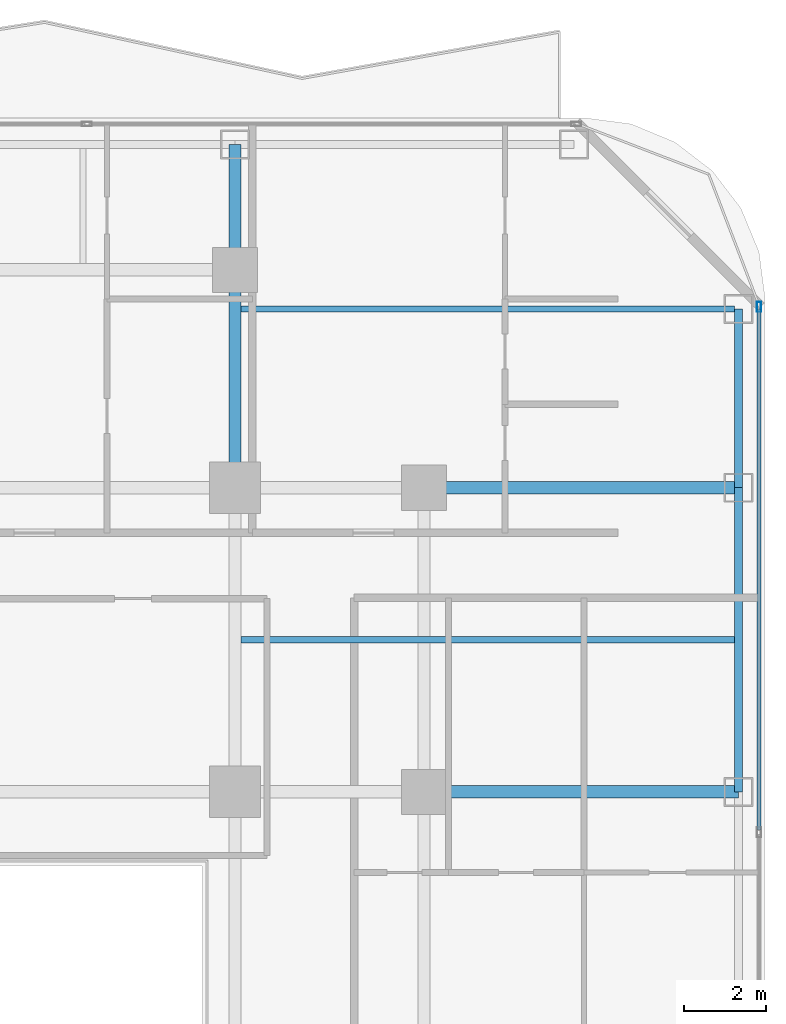
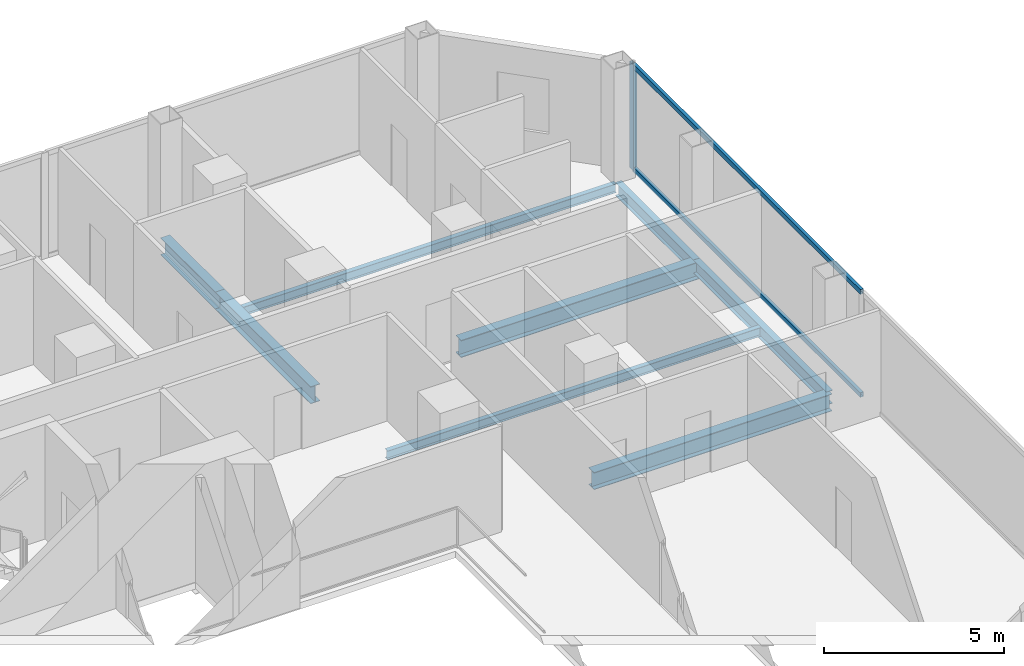
# One storey, part 17 of 27: 8 beams, 3 members, 1 element without a shape of its own.
"""IFC4 building model written with IfcOpenShell, lengths in metres."""

from ifc_helpers import new_model, si_unit, direction, frame, origin, origin_2d, place, context, subcontext, project, spatial, hollow_rectangle, i_section, extrude, material, layer, layer_set, material_profile, profile_set, type_object, element, aggregate, save


model = new_model("IFC4")

# Units and contexts
model_context = context("Model", 3, precision=1e-05, world=origin(), true_north=direction((0.0, 1.0)))
body_context = subcontext(model_context, "Body", "Model", "MODEL_VIEW")
ifc_project = project(units=[si_unit("LENGTHUNIT", "METRE"), si_unit("AREAUNIT", "SQUARE_METRE"), si_unit("VOLUMEUNIT", "CUBIC_METRE"), si_unit("PLANEANGLEUNIT", "RADIAN"), si_unit("MASSUNIT", "GRAM", prefix="KILO")], contexts=[model_context])

# Site, building, storey
site_placement = place(None, origin())
site = spatial("IfcSite", under=ifc_project, at=site_placement, CompositionType="ELEMENT")
building_placement = place(site_placement, origin())
building = spatial("IfcBuilding", under=site, at=building_placement, Name="Khorvyn Point Tower", CompositionType="ELEMENT")
storey_placement = place(building_placement, frame((0.0, 0.0, 152.39990234375)))
storey = spatial("IfcBuildingStorey", under=building, at=storey_placement, Name="L38", CompositionType="ELEMENT", Elevation=152.39990234375)

# Curtain wall, members
ifc_material_1 = material(Name="Anodised aluminium 6063-T6 and laminated Low-E glass", Category="aluminium")
ifc_layer = layer(ifc_material_1, 0.18994140625)
ifc_layer_set = layer_set([ifc_layer], Name="Stick-Built Acoustic Curtain Wall CW-SYS-03")
curtain_wall_type = type_object("IfcCurtainWallType", Name="Stick-Built Acoustic Curtain Wall CW-SYS-03", PredefinedType="NOTDEFINED", material=ifc_layer_set)
curtain_wall_placement = place(storey_placement, origin())
curtain_wall = element("IfcCurtainWall", 1, at=curtain_wall_placement, inside=storey, type_object=curtain_wall_type, Name="Curtain Wall", PredefinedType="NOTDEFINED")
ifc_material_2 = material(Name="Anodised aluminium 6063-T6", Category="aluminium")
ifc_material_profile_1 = material_profile(ifc_material_2, hollow_rectangle(XDim=0.10009765625, YDim=0.239990234375, WallThickness=0.0048828125, at=origin_2d()))
ifc_profile_set_1 = profile_set([ifc_material_profile_1], Name="Anodised aluminium 6063-T6 ALU-MUL-100x240")
member_type_1 = type_object("IfcMemberType", Name="Anodised Aluminium 6063-T6 Mullion ALU-MUL-100x240", PredefinedType="MULLION", material=ifc_profile_set_1)
member_1_placement = place(storey_placement, frame((27.550048828125, 19.199951171875, 0.0), z_axis=(0.0, 0.0, 1.0), x_axis=(1.0, 0.0, 0.0)))
member_1 = element("IfcMember", 2, at=member_1_placement, type_object=member_type_1, Name="Transom", PredefinedType="MULLION", context=body_context, shape_type="SweptSolid", body=[
    extrude(hollow_rectangle(XDim=0.10009765625, YDim=0.239990234375, WallThickness=0.0048828125, at=origin_2d()), origin(), (0.0, 0.0, 1.0), 3.60009765625),
])
ifc_material_profile_2 = material_profile(ifc_material_2, hollow_rectangle(XDim=0.10009765625, YDim=0.159912109375, WallThickness=0.00439453125, at=origin_2d()))
ifc_profile_set_2 = profile_set([ifc_material_profile_2], Name="Anodised aluminium 6063-T6 ALU-TRN-100x160")
member_type_2 = type_object("IfcMemberType", Name="Anodised Aluminium 6063-T6 Transom ALU-TRN-100x160", PredefinedType="USERDEFINED", material=ifc_profile_set_2)
member_2_placement = place(storey_placement, frame((27.550048828125, 19.14990234375, 0.050048828125), z_axis=(0.0, -1.0, 0.0), x_axis=(1.0, 0.0, 0.0)))
member_2 = element("IfcMember", 3, at=member_2_placement, type_object=member_type_2, Name="Transom", ObjectType="TRANSOM", PredefinedType="USERDEFINED", context=body_context, shape_type="SweptSolid", body=[
    extrude(hollow_rectangle(XDim=0.10009765625, YDim=0.159912109375, WallThickness=0.00439453125, at=origin_2d()), origin(), (0.0, 0.0, 1.0), 12.683349609375),
])
member_3_placement = place(storey_placement, frame((27.550048828125, 19.14990234375, 3.550048828125), z_axis=(0.0, -1.0, 0.0), x_axis=(1.0, 0.0, 0.0)))
member_3 = element("IfcMember", 4, at=member_3_placement, type_object=member_type_2, Name="Transom", ObjectType="TRANSOM", PredefinedType="USERDEFINED", context=body_context, shape_type="SweptSolid", body=[
    extrude(hollow_rectangle(XDim=0.10009765625, YDim=0.159912109375, WallThickness=0.00439453125, at=origin_2d()), origin(), (0.0, 0.0, 1.0), 12.683349609375),
])
aggregate(curtain_wall, [member_1, member_2, member_3])

# Beams
ifc_material_3 = material(Name="Steel S355", Category="steel")
ifc_material_profile_3 = material_profile(ifc_material_3, i_section(OverallWidth=0.300048828125, OverallDepth=0.587890625, WebThickness=0.011962890625, FlangeThickness=0.02001953125, at=origin_2d()))
ifc_profile_set_3 = profile_set([ifc_material_profile_3], Name="Steel S355 H588x300x12x20")
beam_type_1 = type_object("IfcBeamType", Name="Steel S355 Beam H588x300x12x20", PredefinedType="BEAM", material=ifc_profile_set_3)
for number, where, z_axis, x_axis, name in (
    (5, (19.39990234375, 14.800048828125, -0.513916015625), (1.0, 0.0, 0.0), (0.0, 1.0, 0.0), "Beam"),
    (6, (19.39990234375, 7.39990234375, -0.513916015625), (1.0, 0.0, 0.0), (0.0, 1.0, 0.0), "Beam"),
):
    element("IfcBeam", number, at=place(storey_placement, frame(where, z_axis=z_axis, x_axis=x_axis)), inside=storey, type_object=beam_type_1, Name=name, PredefinedType="BEAM", context=body_context, shape_type="SweptSolid", body=[
        extrude(i_section(OverallWidth=0.300048828125, OverallDepth=0.587890625, WebThickness=0.011962890625, FlangeThickness=0.02001953125, at=origin_2d()), origin(), (0.0, 0.0, 1.0), 7.650146484375),
    ])
beam_1_placement = place(storey_placement, frame((14.800048828125, 14.800048828125, -0.513916015625), z_axis=(0.0, 1.0, 0.0), x_axis=(-1.0, 0.0, 0.0)))
element("IfcBeam", 7, at=beam_1_placement, inside=storey, type_object=beam_type_1, Name="Beam", PredefinedType="BEAM", context=body_context, shape_type="SweptSolid", body=[
    extrude(i_section(OverallWidth=0.300048828125, OverallDepth=0.587890625, WebThickness=0.011962890625, FlangeThickness=0.02001953125, at=origin_2d()), origin(), (0.0, 0.0, 1.0), 5.300048828125),
])
beam_2_placement = place(storey_placement, frame((14.800048828125, 20.10009765625, -0.513916015625), z_axis=(0.0, 1.0, 0.0), x_axis=(-1.0, 0.0, 0.0)))
element("IfcBeam", 8, at=beam_2_placement, inside=storey, type_object=beam_type_1, Name="Beam", PredefinedType="BEAM", context=body_context, shape_type="SweptSolid", body=[
    extrude(i_section(OverallWidth=0.300048828125, OverallDepth=0.587890625, WebThickness=0.011962890625, FlangeThickness=0.02001953125, at=origin_2d()), origin(), (0.0, 0.0, 1.0), 3.0498046875),
])
ifc_material_profile_4 = material_profile(ifc_material_3, i_section(OverallWidth=0.14990234375, OverallDepth=0.300048828125, WebThickness=0.006591796875, FlangeThickness=0.009033203125, at=origin_2d()))
ifc_profile_set_4 = profile_set([ifc_material_profile_4], Name="Steel S355 H300x150x6.5x9")
beam_type_2 = type_object("IfcBeamType", Name="Steel S355 Joist H300x150x6.5x9", PredefinedType="JOIST", material=ifc_profile_set_4)
for number, where, z_axis, x_axis, name in (
    (9, (14.949951171875, 11.10009765625, -0.369873046875), (1.0, 0.0, 0.0), (0.0, 1.0, 0.0), "Beam"),
    (10, (14.949951171875, 19.14990234375, -0.369873046875), (1.0, 0.0, 0.0), (0.0, 1.0, 0.0), "Beam"),
):
    element("IfcBeam", number, at=place(storey_placement, frame(where, z_axis=z_axis, x_axis=x_axis)), inside=storey, type_object=beam_type_2, Name=name, PredefinedType="JOIST", context=body_context, shape_type="SweptSolid", body=[
        extrude(i_section(OverallWidth=0.14990234375, OverallDepth=0.300048828125, WebThickness=0.006591796875, FlangeThickness=0.009033203125, at=origin_2d()), origin(), (0.0, 0.0, 1.0), 12.0),
    ])
ifc_material_profile_5 = material_profile(ifc_material_3, i_section(OverallWidth=0.199951171875, OverallDepth=0.449951171875, WebThickness=0.009033203125, FlangeThickness=0.013916015625, at=origin_2d()))
ifc_profile_set_5 = profile_set([ifc_material_profile_5], Name="Steel S355 H450x200x9x14")
beam_type_3 = type_object("IfcBeamType", Name="Steel S355 Spandrel H450x200x9x14", PredefinedType="SPANDREL", material=ifc_profile_set_5)
beam_3_placement = place(storey_placement, frame((27.050048828125, 7.39990234375, -0.44482421875), z_axis=(0.0, 1.0, 0.0), x_axis=(-1.0, 0.0, 0.0)))
element("IfcBeam", 11, at=beam_3_placement, inside=storey, type_object=beam_type_3, Name="Beam", PredefinedType="SPANDREL", context=body_context, shape_type="SweptSolid", body=[
    extrude(i_section(OverallWidth=0.199951171875, OverallDepth=0.449951171875, WebThickness=0.009033203125, FlangeThickness=0.013916015625, at=origin_2d()), origin(), (0.0, 0.0, 1.0), 7.400146484375),
])
beam_4_placement = place(storey_placement, frame((27.050048828125, 14.800048828125, -0.44482421875), z_axis=(0.0, 1.0, 0.0), x_axis=(-1.0, 0.0, 0.0)))
element("IfcBeam", 12, at=beam_4_placement, inside=storey, type_object=beam_type_3, Name="Beam", PredefinedType="SPANDREL", context=body_context, shape_type="SweptSolid", body=[
    extrude(i_section(OverallWidth=0.199951171875, OverallDepth=0.449951171875, WebThickness=0.009033203125, FlangeThickness=0.013916015625, at=origin_2d()), origin(), (0.0, 0.0, 1.0), 4.349853515625),
])

save(model, "model.ifc")
